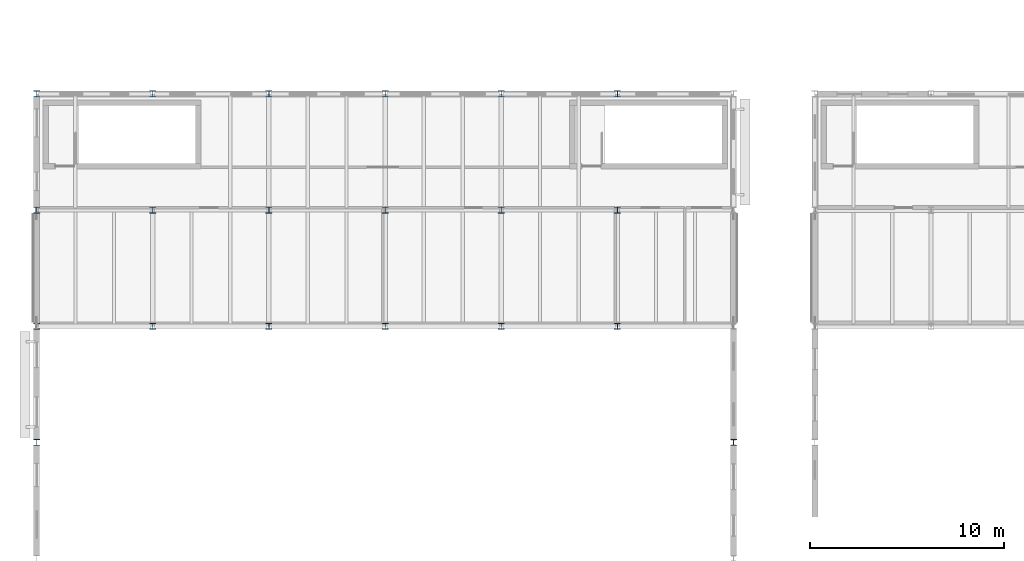
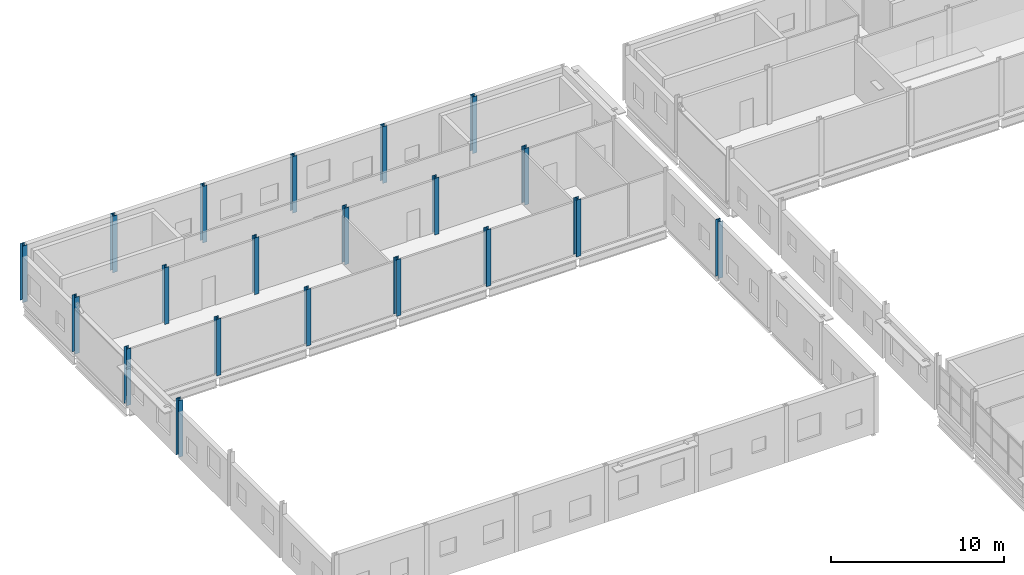
# One storey, part 3 of 92: 20 columns.
"""IFC4 building model written with IfcOpenShell, lengths in metres."""

import ifcopenshell
import ifcopenshell.guid

model = None  # the IFC model being written
_history = None  # IfcOwnerHistory: only IFC2X3 demands one
_inside = {}  # id of a spatial element -> (the spatial element, [elements in it])
_under = {}  # id of a project, library or spatial element -> (it, [spatial elements below it])
_declared = {}  # id of a project -> (the project, [libraries it declares])
_typed = {}  # id of a type object -> (the type object, [elements of that type])
_made_of = {}  # id of a material, layer set ... -> (it, [elements and type objects made of it])


def new_model(schema):
    """Start an empty IFC model of exactly this schema.

    Asked for "IFC4X3", IfcOpenShell would pick the latest addendum, in which some entities
    have other attributes; the version numbers below select the first issue.
    IFC2X3 requires an IfcOwnerHistory on every rooted entity: one is made here for all.
    """
    global model, _history
    if schema == "IFC4X3":
        model = ifcopenshell.file(schema_version=(4, 3, 0, 0))
    else:
        model = ifcopenshell.file(schema=schema)
    _inside.clear()
    _under.clear()
    _declared.clear()
    _typed.clear()
    _made_of.clear()
    _history = None
    if model.schema == "IFC2X3":
        org = make("IfcOrganization", Name="unknown")
        user = make(
            "IfcPersonAndOrganization",
            ThePerson=make("IfcPerson", FamilyName="unknown"),
            TheOrganization=org,
        )
        app = make(
            "IfcApplication",
            ApplicationDeveloper=org,
            Version="unknown",
            ApplicationFullName="unknown",
            ApplicationIdentifier="unknown",
        )
        _history = make(
            "IfcOwnerHistory",
            OwningUser=user,
            OwningApplication=app,
            ChangeAction="ADDED",
            CreationDate=0,
        )
    return model


def make(cls, **values):
    """One entity of the class cls with the attributes given. An attribute that is None is left unset."""
    return model.create_entity(
        cls, **{name: value for name, value in values.items() if value is not None}
    )


def rooted(cls, **values):
    """An entity with a GlobalId (a new one), such as an element, a storey or a relation."""
    return make(cls, GlobalId=ifcopenshell.guid.new(), OwnerHistory=_history, **values)


def si_unit(unit_type, name, prefix=None):
    """IfcSIUnit, for example si_unit("LENGTHUNIT", "METRE", prefix="MILLI")."""
    return make("IfcSIUnit", UnitType=unit_type, Prefix=prefix, Name=name)


def assignment(units):
    """IfcUnitAssignment: the units of a project."""
    return None if units is None else make("IfcUnitAssignment", Units=units)


def point(xyz):
    """IfcCartesianPoint."""
    return None if xyz is None else make("IfcCartesianPoint", Coordinates=xyz)


def direction(xyz):
    """IfcDirection."""
    return None if xyz is None else make("IfcDirection", DirectionRatios=xyz)


def frame(location, z_axis=None, x_axis=None):
    """IfcAxis2Placement3D, a coordinate frame: its origin and axes. An axis left out is left unset."""
    return make(
        "IfcAxis2Placement3D",
        Location=point(location),
        Axis=direction(z_axis),
        RefDirection=direction(x_axis),
    )


def frame_2d(location, x_axis=None):
    """IfcAxis2Placement2D, a coordinate frame in the plane: its origin and x axis."""
    return make(
        "IfcAxis2Placement2D", Location=point(location), RefDirection=direction(x_axis)
    )


def origin():
    """The frame at (0, 0, 0) with its axes left unset."""
    return frame((0.0, 0.0, 0.0))


def origin_2d():
    """The frame at (0, 0) in the plane with its x axis left unset."""
    return frame_2d((0.0, 0.0))


def place(relative_to, where):
    """IfcLocalPlacement: puts the frame where relative to a parent placement (None: the world)."""
    return make(
        "IfcLocalPlacement", PlacementRelTo=relative_to, RelativePlacement=where
    )


def context(
    kind, dimensions, precision=None, world=None, true_north=None, identifier=None
):
    """IfcGeometricRepresentationContext, for example the 3D "Model" context."""
    return make(
        "IfcGeometricRepresentationContext",
        ContextIdentifier=identifier,
        ContextType=kind,
        CoordinateSpaceDimension=dimensions,
        Precision=precision,
        WorldCoordinateSystem=world,
        TrueNorth=true_north,
    )


def subcontext(parent, identifier, kind, view, scale=None):
    """IfcGeometricRepresentationSubContext, for example "Body" below "Model"."""
    return make(
        "IfcGeometricRepresentationSubContext",
        ContextIdentifier=identifier,
        ContextType=kind,
        ParentContext=parent,
        TargetScale=scale,
        TargetView=view,
    )


def project(units=None, contexts=None):
    """IfcProject with its units and contexts."""
    return rooted(
        "IfcProject",
        Name="project",
        RepresentationContexts=contexts,
        UnitsInContext=assignment(units),
    )


def spatial(cls, under=None, at=None, **own):
    """A site, building, storey or space (cls), placed at a placement, below another one or the project."""
    s = rooted(cls, ObjectPlacement=at, **own)
    if under is not None:
        _under.setdefault(under.id(), (under, []))[1].append(s)
    return s


def profile(cls, at=None, kind="AREA", **sizes):
    """A parametric profile (cls). Its sizes go by their IFC names, for example OverallWidth=200.0."""
    return make(cls, ProfileType=kind, Position=at, **sizes)


def i_section(**sizes):
    """IfcIShapeProfileDef."""
    return profile("IfcIShapeProfileDef", **sizes)


def extrude(swept, where, along, depth):
    """IfcExtrudedAreaSolid: the profile swept, set in the frame where, extruded along a direction by depth."""
    return make(
        "IfcExtrudedAreaSolid",
        SweptArea=swept,
        Position=where,
        ExtrudedDirection=direction(along),
        Depth=depth,
    )


def shape(context_of_items, identifier, shape_type, items):
    """IfcShapeRepresentation: the items that make up one representation, for example the "Body"."""
    return make(
        "IfcShapeRepresentation",
        ContextOfItems=context_of_items,
        RepresentationIdentifier=identifier,
        RepresentationType=shape_type,
        Items=items,
    )


def material(Name=None, Category=None):
    """IfcMaterial."""
    return make("IfcMaterial", Name=Name, Category=Category)


def material_profile(
    of_material, cross_section, Name=None, Category=None, Priority=None
):
    """IfcMaterialProfile: a cross section and its material."""
    return make(
        "IfcMaterialProfile",
        Name=Name,
        Material=of_material,
        Profile=cross_section,
        Priority=Priority,
        Category=Category,
    )


def profile_set(profiles, Name=None, composite=None):
    """IfcMaterialProfileSet."""
    return make(
        "IfcMaterialProfileSet",
        Name=Name,
        MaterialProfiles=profiles,
        CompositeProfile=composite,
    )


def made_of(thing, what):
    """Note that an element or type object is made of a material, layer set ...; save() writes the relation."""
    if what is not None:
        _made_of.setdefault(what.id(), (what, []))[1].append(thing)
    return thing


def type_object(cls, material=None, **own):
    """A type object (cls), such as IfcWallType, which elements share."""
    return made_of(rooted(cls, **own), material)


def element(
    cls,
    number,
    at=None,
    inside=None,
    cuts=None,
    type_object=None,
    material=None,
    context=None,
    identifier="Body",
    shape_type=None,
    held_by="IfcProductDefinitionShape",
    body=None,
    shapes=None,
    **own,
):
    """One element of the class cls, such as IfcWall. Its Tag is "e" and its number.

    at: its placement. inside: the storey or other place that contains it. cuts: it is an
    opening in that element (IfcRelVoidsElement). A single representation is given by context,
    identifier, shape_type and body (its items); several are given by shapes. held_by: the class
    of the entity that holds the representations. save() writes the other relations.
    """
    e = rooted(cls, Tag="e%d" % number, ObjectPlacement=at, **own)
    if body is not None:
        shapes = [shape(context, identifier, shape_type, body)]
    if shapes is not None:
        e.Representation = make(held_by, Representations=shapes)
    if inside is not None:
        _inside.setdefault(inside.id(), (inside, []))[1].append(e)
    if cuts is not None:
        rooted(
            "IfcRelVoidsElement", RelatingBuildingElement=cuts, RelatedOpeningElement=e
        )
    if type_object is not None:
        _typed.setdefault(type_object.id(), (type_object, []))[1].append(e)
    return made_of(e, material)


def aggregate(whole, parts):
    """IfcRelAggregates: a whole, such as a stair, and the parts it consists of."""
    return rooted("IfcRelAggregates", RelatingObject=whole, RelatedObjects=parts)


def save(model, path):
    """Write the relations noted so far, then the file.

    IfcRelAggregates (storeys below a building ...), IfcRelContainedInSpatialStructure (elements
    in a storey), IfcRelDefinesByType, IfcRelAssociatesMaterial and IfcRelDeclares: one each for
    every whole, place, type object, material and project.
    """
    for whole, parts in _under.values():
        aggregate(whole, parts)
    for where, things in _inside.values():
        rooted(
            "IfcRelContainedInSpatialStructure",
            RelatedElements=things,
            RelatingStructure=where,
        )
    for kind, things in _typed.values():
        rooted("IfcRelDefinesByType", RelatedObjects=things, RelatingType=kind)
    for what, things in _made_of.values():
        rooted("IfcRelAssociatesMaterial", RelatedObjects=things, RelatingMaterial=what)
    for by, libraries in _declared.values():
        rooted("IfcRelDeclares", RelatingContext=by, RelatedDefinitions=libraries)
    model.write(path)


model = new_model("IFC4")

# Units and contexts
model_context = context("Model", 3, precision=1e-05, world=origin(), true_north=direction((0.0, 1.0)))
body_context = subcontext(model_context, "Body", "Model", "MODEL_VIEW")
ifc_project = project(units=[si_unit("LENGTHUNIT", "METRE"), si_unit("AREAUNIT", "SQUARE_METRE"), si_unit("VOLUMEUNIT", "CUBIC_METRE"), si_unit("PLANEANGLEUNIT", "RADIAN"), si_unit("MASSUNIT", "GRAM", prefix="KILO")], contexts=[model_context])

# Site, building, storey
site_placement = place(None, origin())
site = spatial("IfcSite", under=ifc_project, at=site_placement, CompositionType="ELEMENT")
building_placement = place(site_placement, origin())
building = spatial("IfcBuilding", under=site, at=building_placement, Name="Siltcreek Boulevard Central Fire Station", CompositionType="ELEMENT")
storey_placement = place(building_placement, frame((0.0, 0.0, 6.0)))
storey = spatial("IfcBuildingStorey", under=building, at=storey_placement, Name="L02", CompositionType="ELEMENT", Elevation=6.0)

# Columns
ifc_material = material(Name="Structural steel ASTM A992 Gr50", Category="steel")
ifc_material_profile = material_profile(ifc_material, i_section(OverallWidth=0.306884765625, OverallDepth=0.31396484375, WebThickness=0.010986328125, FlangeThickness=0.018798828125, at=origin_2d()), Name="W310X118")
ifc_profile_set = profile_set([ifc_material_profile], Name="Structural steel ASTM A992 Gr50")
column_type = type_object("IfcColumnType", Name="COL_W310X118", PredefinedType="COLUMN", material=ifc_profile_set)
for number, where, z_axis, x_axis, name in (
    (1, (1.800048828125, 42.0, 0.0), (0.0, 0.0, 1.0), (1.0, 0.0, 0.0), "L02 structural column COLG-L02-18-420"),
    (2, (1.800048828125, 48.0, 0.0), (0.0, 0.0, 1.0), (1.0, 0.0, 0.0), "L02 structural column COLG-L02-18-480"),
    (3, (1.800048828125, 54.0, 0.0), (0.0, 0.0, 1.0), (1.0, 0.0, 0.0), "L02 structural column COLG-L02-18-540"),
    (4, (7.800048828125, 42.0, 0.0), (0.0, 0.0, 1.0), (1.0, 0.0, 0.0), "L02 structural column COLG-L02-78-420"),
    (5, (7.800048828125, 48.0, 0.0), (0.0, 0.0, 1.0), (1.0, 0.0, 0.0), "L02 structural column COLG-L02-78-480"),
    (6, (7.800048828125, 54.0, 0.0), (0.0, 0.0, 1.0), (1.0, 0.0, 0.0), "L02 structural column COLG-L02-78-540"),
    (7, (13.800048828125, 42.0, 0.0), (0.0, 0.0, 1.0), (1.0, 0.0, 0.0), "L02 structural column COLG-L02-138-420"),
    (8, (13.800048828125, 48.0, 0.0), (0.0, 0.0, 1.0), (1.0, 0.0, 0.0), "L02 structural column COLG-L02-138-480"),
    (9, (13.800048828125, 54.0, 0.0), (0.0, 0.0, 1.0), (1.0, 0.0, 0.0), "L02 structural column COLG-L02-138-540"),
    (10, (19.800048828125, 42.0, 0.0), (0.0, 0.0, 1.0), (1.0, 0.0, 0.0), "L02 structural column COLG-L02-198-420"),
    (11, (19.800048828125, 48.0, 0.0), (0.0, 0.0, 1.0), (1.0, 0.0, 0.0), "L02 structural column COLG-L02-198-480"),
    (12, (19.800048828125, 54.0, 0.0), (0.0, 0.0, 1.0), (1.0, 0.0, 0.0), "L02 structural column COLG-L02-198-540"),
    (13, (25.800048828125, 42.0, 0.0), (0.0, 0.0, 1.0), (1.0, 0.0, 0.0), "L02 structural column COLG-L02-258-420"),
    (14, (25.800048828125, 48.0, 0.0), (0.0, 0.0, 1.0), (1.0, 0.0, 0.0), "L02 structural column COLG-L02-258-480"),
    (15, (25.800048828125, 54.0, 0.0), (0.0, 0.0, 1.0), (1.0, 0.0, 0.0), "L02 structural column COLG-L02-258-540"),
    (16, (31.800048828125, 42.0, 0.0), (0.0, 0.0, 1.0), (1.0, 0.0, 0.0), "L02 structural column COLG-L02-318-420"),
    (17, (31.800048828125, 48.0, 0.0), (0.0, 0.0, 1.0), (1.0, 0.0, 0.0), "L02 structural column COLG-L02-318-480"),
    (18, (31.800048828125, 54.0, 0.0), (0.0, 0.0, 1.0), (1.0, 0.0, 0.0), "L02 structural column COLG-L02-318-540"),
    (19, (1.800048828125, 36.0, 0.0), (0.0, 0.0, 1.0), (1.0, 0.0, 0.0), "L02 structural column COLG-L02-18-360"),
    (20, (37.800048828125, 36.0, 0.0), (0.0, 0.0, 1.0), (1.0, 0.0, 0.0), "L02 structural column COLG-L02-378-360"),
):
    element("IfcColumn", number, at=place(storey_placement, frame(where, z_axis=z_axis, x_axis=x_axis)), inside=storey, type_object=column_type, Name=name, PredefinedType="COLUMN", context=body_context, shape_type="SweptSolid", body=[
        extrude(i_section(OverallWidth=0.306884765625, OverallDepth=0.31396484375, WebThickness=0.010986328125, FlangeThickness=0.018798828125, at=origin_2d()), origin(), (0.0, 0.0, 1.0), 4.0),
    ])

save(model, "model.ifc")
